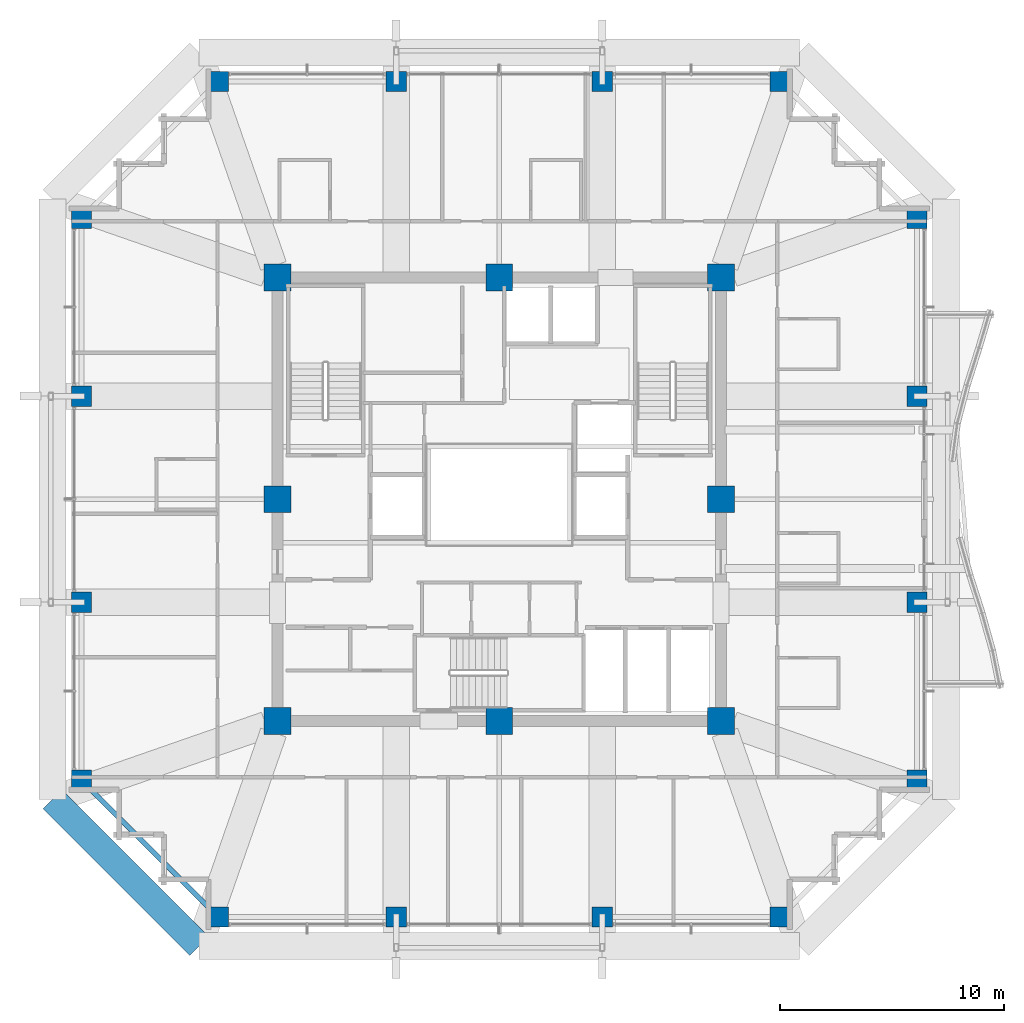
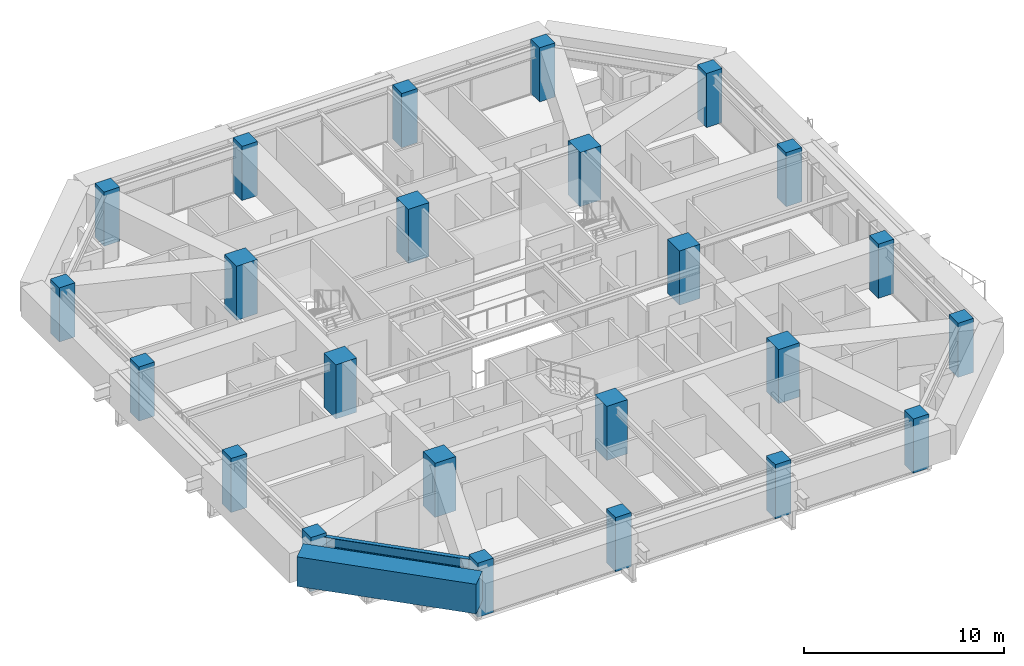
# One storey, part 1 of 40: 24 columns, 2 beams.
"""IFC4 building model written with IfcOpenShell, lengths in metres."""

from ifc_helpers import new_model, si_unit, direction, frame, origin, origin_2d, place, context, subcontext, project, spatial, rectangle, i_section, extrude, material, material_profile, profile_set, type_object, element, save


model = new_model("IFC4")

# Units and contexts
model_context = context("Model", 3, precision=1e-05, world=origin(), true_north=direction((0.0, 1.0)))
body_context = subcontext(model_context, "Body", "Model", "MODEL_VIEW")
ifc_project = project(units=[si_unit("LENGTHUNIT", "METRE"), si_unit("AREAUNIT", "SQUARE_METRE"), si_unit("VOLUMEUNIT", "CUBIC_METRE"), si_unit("PLANEANGLEUNIT", "RADIAN"), si_unit("MASSUNIT", "GRAM", prefix="KILO")], contexts=[model_context])

# Site, building, storey
site_placement = place(None, origin())
site = spatial("IfcSite", under=ifc_project, at=site_placement, CompositionType="ELEMENT")
building_placement = place(site_placement, origin())
building = spatial("IfcBuilding", under=site, at=building_placement, Name="Kolvaren Belvedere", CompositionType="ELEMENT")
storey_placement = place(building_placement, frame((0.0, 0.0, 170.10009765625)))
storey = spatial("IfcBuildingStorey", under=building, at=storey_placement, Name="L49", CompositionType="ELEMENT", Elevation=170.10009765625)

# Columns
ifc_material_1 = material(Name="Concrete C60/75", Category="concrete")
ifc_material_profile_1 = material_profile(ifc_material_1, rectangle(XDim=1.199951171875, YDim=1.199951171875, at=origin_2d()), Name="RC 1200X1200")
ifc_profile_set_1 = profile_set([ifc_material_profile_1], Name="Concrete C60/75")
column_type_1 = type_object("IfcColumnType", Name="COL-RC-1200", PredefinedType="COLUMN", material=ifc_profile_set_1)
for number, where, z_axis, x_axis, name in (
    (1, (-9.89990234375, -9.89990234375, 0.0), (0.0, 0.0, 1.0), (1.0, 0.0, 0.0), "L49 Core Column CC1"),
    (2, (9.89990234375, -9.89990234375, 0.0), (0.0, 0.0, 1.0), (1.0, 0.0, 0.0), "L49 Core Column CC2"),
    (3, (9.89990234375, 9.89990234375, 0.0), (0.0, 0.0, 1.0), (1.0, 0.0, 0.0), "L49 Core Column CC3"),
    (4, (-9.89990234375, 9.89990234375, 0.0), (0.0, 0.0, 1.0), (1.0, 0.0, 0.0), "L49 Core Column CC4"),
    (5, (0.0, -9.89990234375, 0.0), (0.0, 0.0, 1.0), (1.0, 0.0, 0.0), "L49 Core Column CM1"),
    (6, (9.89990234375, 0.0, 0.0), (0.0, 0.0, 1.0), (1.0, 0.0, 0.0), "L49 Core Column CM2"),
    (7, (0.0, 9.89990234375, 0.0), (0.0, 0.0, 1.0), (1.0, 0.0, 0.0), "L49 Core Column CM3"),
    (8, (-9.89990234375, 0.0, 0.0), (0.0, 0.0, 1.0), (1.0, 0.0, 0.0), "L49 Core Column CM4"),
):
    element("IfcColumn", number, at=place(storey_placement, frame(where, z_axis=z_axis, x_axis=x_axis)), inside=storey, type_object=column_type_1, Name=name, PredefinedType="COLUMN", context=body_context, shape_type="SweptSolid", body=[
        extrude(rectangle(XDim=1.199951171875, YDim=1.199951171875, at=origin_2d()), origin(), (0.0, 0.0, 1.0), 3.2998046875),
    ])
ifc_material_2 = material(Name="Concrete C50/60", Category="concrete")
ifc_material_profile_2 = material_profile(ifc_material_2, rectangle(XDim=0.89990234375, YDim=0.89990234375, at=origin_2d()), Name="RC 900X900")
ifc_profile_set_2 = profile_set([ifc_material_profile_2], Name="Concrete C50/60")
column_type_2 = type_object("IfcColumnType", Name="COL-RC-900", PredefinedType="COLUMN", material=ifc_profile_set_2)
for number, where, z_axis, x_axis, name in (
    (9, (-12.550048828125, -18.64990234375, 0.0), (0.0, 0.0, 1.0), (1.0, 0.0, 0.0), "L49 Perimeter Column S1"),
    (10, (-4.60009765625, -18.64990234375, 0.0), (0.0, 0.0, 1.0), (1.0, 0.0, 0.0), "L49 Perimeter Column S2"),
    (11, (4.60009765625, -18.64990234375, 0.0), (0.0, 0.0, 1.0), (1.0, 0.0, 0.0), "L49 Perimeter Column S3"),
    (12, (12.550048828125, -18.64990234375, 0.0), (0.0, 0.0, 1.0), (1.0, 0.0, 0.0), "L49 Perimeter Column S4"),
    (13, (-12.550048828125, 18.64990234375, 0.0), (0.0, 0.0, 1.0), (1.0, 0.0, 0.0), "L49 Perimeter Column N1"),
    (14, (-4.60009765625, 18.64990234375, 0.0), (0.0, 0.0, 1.0), (1.0, 0.0, 0.0), "L49 Perimeter Column N2"),
    (15, (4.60009765625, 18.64990234375, 0.0), (0.0, 0.0, 1.0), (1.0, 0.0, 0.0), "L49 Perimeter Column N3"),
    (16, (12.550048828125, 18.64990234375, 0.0), (0.0, 0.0, 1.0), (1.0, 0.0, 0.0), "L49 Perimeter Column N4"),
    (17, (-18.64990234375, -12.550048828125, 0.0), (0.0, 0.0, 1.0), (1.0, 0.0, 0.0), "L49 Perimeter Column W1"),
    (18, (-18.64990234375, -4.60009765625, 0.0), (0.0, 0.0, 1.0), (1.0, 0.0, 0.0), "L49 Perimeter Column W2"),
    (19, (-18.64990234375, 4.60009765625, 0.0), (0.0, 0.0, 1.0), (1.0, 0.0, 0.0), "L49 Perimeter Column W3"),
    (20, (-18.64990234375, 12.550048828125, 0.0), (0.0, 0.0, 1.0), (1.0, 0.0, 0.0), "L49 Perimeter Column W4"),
    (21, (18.64990234375, -12.550048828125, 0.0), (0.0, 0.0, 1.0), (1.0, 0.0, 0.0), "L49 Perimeter Column E1"),
    (22, (18.64990234375, -4.60009765625, 0.0), (0.0, 0.0, 1.0), (1.0, 0.0, 0.0), "L49 Perimeter Column E2"),
    (23, (18.64990234375, 4.60009765625, 0.0), (0.0, 0.0, 1.0), (1.0, 0.0, 0.0), "L49 Perimeter Column E3"),
    (24, (18.64990234375, 12.550048828125, 0.0), (0.0, 0.0, 1.0), (1.0, 0.0, 0.0), "L49 Perimeter Column E4"),
):
    element("IfcColumn", number, at=place(storey_placement, frame(where, z_axis=z_axis, x_axis=x_axis)), inside=storey, type_object=column_type_2, Name=name, PredefinedType="COLUMN", context=body_context, shape_type="SweptSolid", body=[
        extrude(rectangle(XDim=0.89990234375, YDim=0.89990234375, at=origin_2d()), origin(), (0.0, 0.0, 1.0), 3.2998046875),
    ])

# Beams
ifc_material_3 = material(Name="Structural steel ASTM A992 Grade 50", Category="steel")
ifc_material_profile_3 = material_profile(ifc_material_3, i_section(OverallWidth=0.22900390625, OverallDepth=0.612060546875, WebThickness=0.011962890625, FlangeThickness=0.01953125, FilletRadius=0.01806640625, at=origin_2d()), Name="W24X84")
ifc_profile_set_3 = profile_set([ifc_material_profile_3], Name="Structural steel ASTM A992 Grade 50")
beam_type_1 = type_object("IfcBeamType", Name="BM-SPAN-W24X84", PredefinedType="SPANDREL", material=ifc_profile_set_3)
beam_1_placement = place(storey_placement, frame((-18.5068359375, -12.693115234375, 2.77392578125), z_axis=(0.707106781187, -0.707106781187, 0.0), x_axis=(0.707106781187, 0.707106781187, 0.0)))
element("IfcBeam", 25, at=beam_1_placement, inside=storey, type_object=beam_type_1, Name="L49 Perimeter Spandrel W1-S1", PredefinedType="SPANDREL", context=body_context, shape_type="SweptSolid", body=[
    extrude(i_section(OverallWidth=0.22900390625, OverallDepth=0.612060546875, WebThickness=0.011962890625, FlangeThickness=0.01953125, FilletRadius=0.01806640625, at=origin_2d()), origin(), (0.0, 0.0, 1.0), 8.221923828125),
])
ifc_material_4 = material(Name="Concrete C50/60", Category="concrete")
ifc_material_profile_4 = material_profile(ifc_material_4, rectangle(XDim=1.199951171875, YDim=1.800048828125, at=origin_2d()), Name="RC 1200X1800")
ifc_profile_set_4 = profile_set([ifc_material_profile_4], Name="Concrete C50/60")
beam_type_2 = type_object("IfcBeamType", Name="BM-TG-1800", PredefinedType="BEAM", material=ifc_profile_set_4)
beam_2_placement = place(storey_placement, frame((-19.949951171875, -13.39990234375, 2.179931640625), z_axis=(0.707106781187, -0.707106781187, 0.0), x_axis=(0.707106781187, 0.707106781187, 0.0)))
element("IfcBeam", 26, at=beam_2_placement, inside=storey, type_object=beam_type_2, Name="L49 Step Transfer Ring Girder W1-S1", PredefinedType="BEAM", context=body_context, shape_type="SweptSolid", body=[
    extrude(rectangle(XDim=1.199951171875, YDim=1.800048828125, at=origin_2d()), origin(), (0.0, 0.0, 1.0), 9.26318359375),
])

save(model, "model.ifc")
